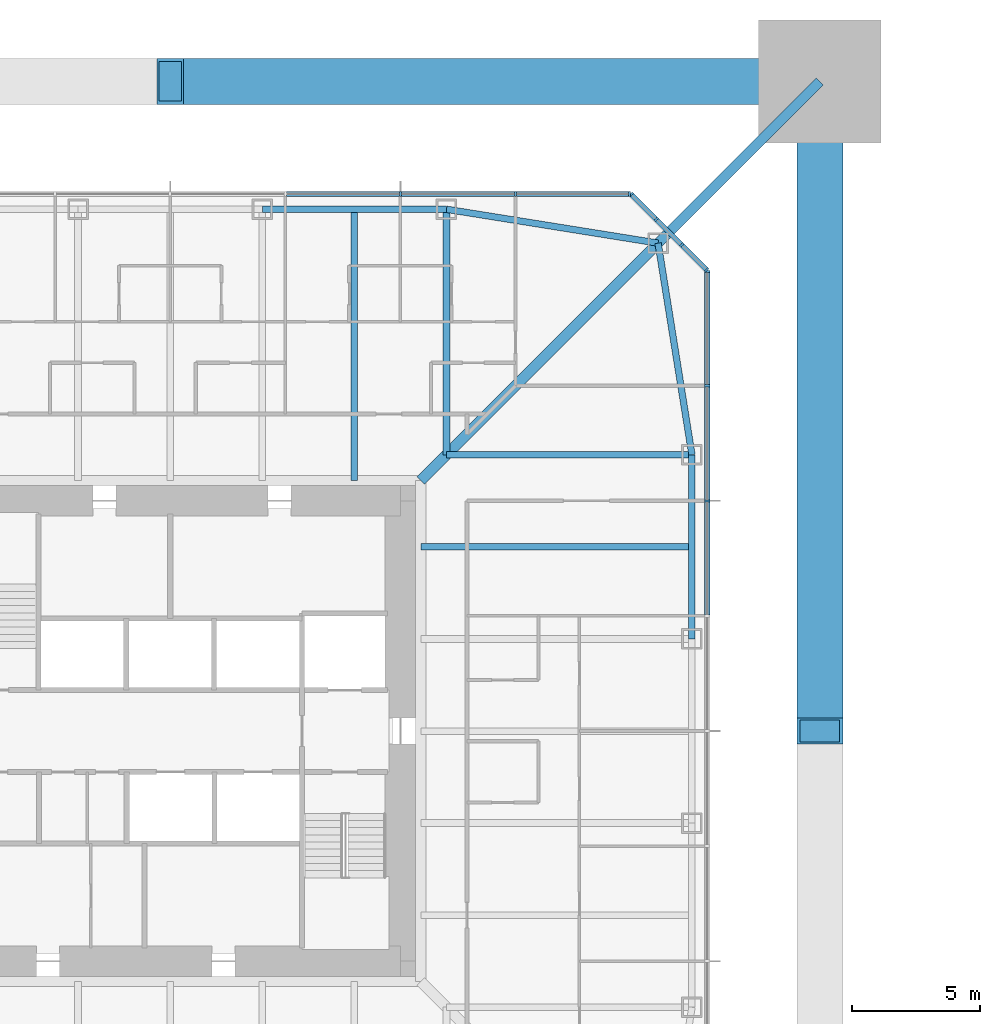
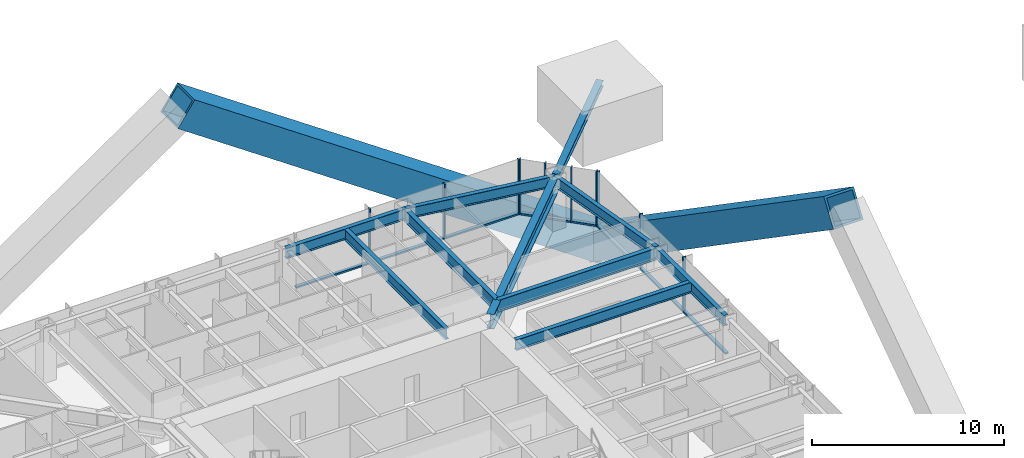
# One storey, part 8 of 26: 22 members, 9 beams, 3 elements without a shape of their own.
"""IFC4 building model written with IfcOpenShell, lengths in metres."""

import ifcopenshell
import ifcopenshell.guid

model = None  # the IFC model being written
_history = None  # IfcOwnerHistory: only IFC2X3 demands one
_inside = {}  # id of a spatial element -> (the spatial element, [elements in it])
_under = {}  # id of a project, library or spatial element -> (it, [spatial elements below it])
_declared = {}  # id of a project -> (the project, [libraries it declares])
_typed = {}  # id of a type object -> (the type object, [elements of that type])
_made_of = {}  # id of a material, layer set ... -> (it, [elements and type objects made of it])


def new_model(schema):
    """Start an empty IFC model of exactly this schema.

    Asked for "IFC4X3", IfcOpenShell would pick the latest addendum, in which some entities
    have other attributes; the version numbers below select the first issue.
    IFC2X3 requires an IfcOwnerHistory on every rooted entity: one is made here for all.
    """
    global model, _history
    if schema == "IFC4X3":
        model = ifcopenshell.file(schema_version=(4, 3, 0, 0))
    else:
        model = ifcopenshell.file(schema=schema)
    _inside.clear()
    _under.clear()
    _declared.clear()
    _typed.clear()
    _made_of.clear()
    _history = None
    if model.schema == "IFC2X3":
        org = make("IfcOrganization", Name="unknown")
        user = make(
            "IfcPersonAndOrganization",
            ThePerson=make("IfcPerson", FamilyName="unknown"),
            TheOrganization=org,
        )
        app = make(
            "IfcApplication",
            ApplicationDeveloper=org,
            Version="unknown",
            ApplicationFullName="unknown",
            ApplicationIdentifier="unknown",
        )
        _history = make(
            "IfcOwnerHistory",
            OwningUser=user,
            OwningApplication=app,
            ChangeAction="ADDED",
            CreationDate=0,
        )
    return model


def make(cls, **values):
    """One entity of the class cls with the attributes given. An attribute that is None is left unset."""
    return model.create_entity(
        cls, **{name: value for name, value in values.items() if value is not None}
    )


def rooted(cls, **values):
    """An entity with a GlobalId (a new one), such as an element, a storey or a relation."""
    return make(cls, GlobalId=ifcopenshell.guid.new(), OwnerHistory=_history, **values)


def si_unit(unit_type, name, prefix=None):
    """IfcSIUnit, for example si_unit("LENGTHUNIT", "METRE", prefix="MILLI")."""
    return make("IfcSIUnit", UnitType=unit_type, Prefix=prefix, Name=name)


def assignment(units):
    """IfcUnitAssignment: the units of a project."""
    return None if units is None else make("IfcUnitAssignment", Units=units)


def point(xyz):
    """IfcCartesianPoint."""
    return None if xyz is None else make("IfcCartesianPoint", Coordinates=xyz)


def direction(xyz):
    """IfcDirection."""
    return None if xyz is None else make("IfcDirection", DirectionRatios=xyz)


def frame(location, z_axis=None, x_axis=None):
    """IfcAxis2Placement3D, a coordinate frame: its origin and axes. An axis left out is left unset."""
    return make(
        "IfcAxis2Placement3D",
        Location=point(location),
        Axis=direction(z_axis),
        RefDirection=direction(x_axis),
    )


def frame_2d(location, x_axis=None):
    """IfcAxis2Placement2D, a coordinate frame in the plane: its origin and x axis."""
    return make(
        "IfcAxis2Placement2D", Location=point(location), RefDirection=direction(x_axis)
    )


def origin():
    """The frame at (0, 0, 0) with its axes left unset."""
    return frame((0.0, 0.0, 0.0))


def origin_2d():
    """The frame at (0, 0) in the plane with its x axis left unset."""
    return frame_2d((0.0, 0.0))


def place(relative_to, where):
    """IfcLocalPlacement: puts the frame where relative to a parent placement (None: the world)."""
    return make(
        "IfcLocalPlacement", PlacementRelTo=relative_to, RelativePlacement=where
    )


def context(
    kind, dimensions, precision=None, world=None, true_north=None, identifier=None
):
    """IfcGeometricRepresentationContext, for example the 3D "Model" context."""
    return make(
        "IfcGeometricRepresentationContext",
        ContextIdentifier=identifier,
        ContextType=kind,
        CoordinateSpaceDimension=dimensions,
        Precision=precision,
        WorldCoordinateSystem=world,
        TrueNorth=true_north,
    )


def subcontext(parent, identifier, kind, view, scale=None):
    """IfcGeometricRepresentationSubContext, for example "Body" below "Model"."""
    return make(
        "IfcGeometricRepresentationSubContext",
        ContextIdentifier=identifier,
        ContextType=kind,
        ParentContext=parent,
        TargetScale=scale,
        TargetView=view,
    )


def project(units=None, contexts=None):
    """IfcProject with its units and contexts."""
    return rooted(
        "IfcProject",
        Name="project",
        RepresentationContexts=contexts,
        UnitsInContext=assignment(units),
    )


def spatial(cls, under=None, at=None, **own):
    """A site, building, storey or space (cls), placed at a placement, below another one or the project."""
    s = rooted(cls, ObjectPlacement=at, **own)
    if under is not None:
        _under.setdefault(under.id(), (under, []))[1].append(s)
    return s


def profile(cls, at=None, kind="AREA", **sizes):
    """A parametric profile (cls). Its sizes go by their IFC names, for example OverallWidth=200.0."""
    return make(cls, ProfileType=kind, Position=at, **sizes)


def rectangle(**sizes):
    """IfcRectangleProfileDef."""
    return profile("IfcRectangleProfileDef", **sizes)


def hollow_rectangle(**sizes):
    """IfcRectangleHollowProfileDef."""
    return profile("IfcRectangleHollowProfileDef", **sizes)


def i_section(**sizes):
    """IfcIShapeProfileDef."""
    return profile("IfcIShapeProfileDef", **sizes)


def extrude(swept, where, along, depth):
    """IfcExtrudedAreaSolid: the profile swept, set in the frame where, extruded along a direction by depth."""
    return make(
        "IfcExtrudedAreaSolid",
        SweptArea=swept,
        Position=where,
        ExtrudedDirection=direction(along),
        Depth=depth,
    )


def shape(context_of_items, identifier, shape_type, items):
    """IfcShapeRepresentation: the items that make up one representation, for example the "Body"."""
    return make(
        "IfcShapeRepresentation",
        ContextOfItems=context_of_items,
        RepresentationIdentifier=identifier,
        RepresentationType=shape_type,
        Items=items,
    )


def material(Name=None, Category=None):
    """IfcMaterial."""
    return make("IfcMaterial", Name=Name, Category=Category)


def material_profile(
    of_material, cross_section, Name=None, Category=None, Priority=None
):
    """IfcMaterialProfile: a cross section and its material."""
    return make(
        "IfcMaterialProfile",
        Name=Name,
        Material=of_material,
        Profile=cross_section,
        Priority=Priority,
        Category=Category,
    )


def profile_set(profiles, Name=None, composite=None):
    """IfcMaterialProfileSet."""
    return make(
        "IfcMaterialProfileSet",
        Name=Name,
        MaterialProfiles=profiles,
        CompositeProfile=composite,
    )


def made_of(thing, what):
    """Note that an element or type object is made of a material, layer set ...; save() writes the relation."""
    if what is not None:
        _made_of.setdefault(what.id(), (what, []))[1].append(thing)
    return thing


def type_object(cls, material=None, **own):
    """A type object (cls), such as IfcWallType, which elements share."""
    return made_of(rooted(cls, **own), material)


def element(
    cls,
    number,
    at=None,
    inside=None,
    cuts=None,
    type_object=None,
    material=None,
    context=None,
    identifier="Body",
    shape_type=None,
    held_by="IfcProductDefinitionShape",
    body=None,
    shapes=None,
    **own,
):
    """One element of the class cls, such as IfcWall. Its Tag is "e" and its number.

    at: its placement. inside: the storey or other place that contains it. cuts: it is an
    opening in that element (IfcRelVoidsElement). A single representation is given by context,
    identifier, shape_type and body (its items); several are given by shapes. held_by: the class
    of the entity that holds the representations. save() writes the other relations.
    """
    e = rooted(cls, Tag="e%d" % number, ObjectPlacement=at, **own)
    if body is not None:
        shapes = [shape(context, identifier, shape_type, body)]
    if shapes is not None:
        e.Representation = make(held_by, Representations=shapes)
    if inside is not None:
        _inside.setdefault(inside.id(), (inside, []))[1].append(e)
    if cuts is not None:
        rooted(
            "IfcRelVoidsElement", RelatingBuildingElement=cuts, RelatedOpeningElement=e
        )
    if type_object is not None:
        _typed.setdefault(type_object.id(), (type_object, []))[1].append(e)
    return made_of(e, material)


def aggregate(whole, parts):
    """IfcRelAggregates: a whole, such as a stair, and the parts it consists of."""
    return rooted("IfcRelAggregates", RelatingObject=whole, RelatedObjects=parts)


def save(model, path):
    """Write the relations noted so far, then the file.

    IfcRelAggregates (storeys below a building ...), IfcRelContainedInSpatialStructure (elements
    in a storey), IfcRelDefinesByType, IfcRelAssociatesMaterial and IfcRelDeclares: one each for
    every whole, place, type object, material and project.
    """
    for whole, parts in _under.values():
        aggregate(whole, parts)
    for where, things in _inside.values():
        rooted(
            "IfcRelContainedInSpatialStructure",
            RelatedElements=things,
            RelatingStructure=where,
        )
    for kind, things in _typed.values():
        rooted("IfcRelDefinesByType", RelatedObjects=things, RelatingType=kind)
    for what, things in _made_of.values():
        rooted("IfcRelAssociatesMaterial", RelatedObjects=things, RelatingMaterial=what)
    for by, libraries in _declared.values():
        rooted("IfcRelDeclares", RelatingContext=by, RelatedDefinitions=libraries)
    model.write(path)


model = new_model("IFC4")

# Units and contexts
model_context = context("Model", 3, precision=1e-05, world=origin(), true_north=direction((0.0, 1.0)))
body_context = subcontext(model_context, "Body", "Model", "MODEL_VIEW")
ifc_project = project(units=[si_unit("LENGTHUNIT", "METRE"), si_unit("AREAUNIT", "SQUARE_METRE"), si_unit("VOLUMEUNIT", "CUBIC_METRE"), si_unit("PLANEANGLEUNIT", "RADIAN"), si_unit("MASSUNIT", "GRAM", prefix="KILO")], contexts=[model_context])

# Site, building, storey
site_placement = place(None, origin())
site = spatial("IfcSite", under=ifc_project, at=site_placement, CompositionType="ELEMENT")
building_placement = place(site_placement, origin())
building = spatial("IfcBuilding", under=site, at=building_placement, Name="Iwan Alto Co-Living Towers", CompositionType="ELEMENT")
storey_placement = place(building_placement, frame((0.0, 0.0, 115.5)))
storey = spatial("IfcBuildingStorey", under=building, at=storey_placement, Name="L31", CompositionType="ELEMENT", Elevation=115.5)

# Curtain wall, members
ifc_material_1 = material(Name="Bronze aluminium unitised frame", Category="aluminium")
curtain_wall_type_1 = type_object("IfcCurtainWallType", Name="CURTAIN WALL CW-A", PredefinedType="NOTDEFINED", material=ifc_material_1)
curtain_wall_1_placement = place(storey_placement, origin())
curtain_wall_1 = element("IfcCurtainWall", 1, at=curtain_wall_1_placement, inside=storey, type_object=curtain_wall_type_1, Name="T1 curtain wall E L31", PredefinedType="NOTDEFINED")
ifc_material_2 = material(Name="Aluminium 6063-T6 bronze anodised", Category="aluminium")
ifc_material_profile_1 = material_profile(ifc_material_2, rectangle(XDim=0.199951171875, YDim=0.080078125, at=origin_2d()), Name="AL 80X200")
ifc_profile_set_1 = profile_set([ifc_material_profile_1], Name="Aluminium 6063-T6 bronze anodised")
member_type_1 = type_object("IfcMemberType", Name="CW-A MULLION 80X200", PredefinedType="MULLION", material=ifc_profile_set_1)
member_1_placement = place(storey_placement, frame((21.0, 9.0, 0.0), z_axis=(0.0, 0.0, 1.0), x_axis=(-1.0, 0.0, 0.0)))
member_1 = element("IfcMember", 2, at=member_1_placement, type_object=member_type_1, Name="CW-A mullion 7", PredefinedType="MULLION", context=body_context, shape_type="SweptSolid", body=[
    extrude(rectangle(XDim=0.199951171875, YDim=0.080078125, at=origin_2d()), origin(), (0.0, 0.0, 1.0), 3.5),
])
member_2_placement = place(storey_placement, frame((21.0, 13.5, 0.0), z_axis=(0.0, 0.0, 1.0), x_axis=(-1.0, 0.0, 0.0)))
member_2 = element("IfcMember", 3, at=member_2_placement, type_object=member_type_1, Name="CW-A mullion 8", PredefinedType="MULLION", context=body_context, shape_type="SweptSolid", body=[
    extrude(rectangle(XDim=0.199951171875, YDim=0.080078125, at=origin_2d()), origin(), (0.0, 0.0, 1.0), 3.5),
])
member_3_placement = place(storey_placement, frame((21.0, 17.9599609375, 0.0), z_axis=(0.0, 0.0, 1.0), x_axis=(-1.0, 0.0, 0.0)))
member_3 = element("IfcMember", 4, at=member_3_placement, type_object=member_type_1, Name="CW-A mullion 9", PredefinedType="MULLION", context=body_context, shape_type="SweptSolid", body=[
    extrude(rectangle(XDim=0.199951171875, YDim=0.080078125, at=origin_2d()), origin(), (0.0, 0.0, 1.0), 3.5),
])

curtain_wall_2_placement = place(storey_placement, origin())
curtain_wall_2 = element("IfcCurtainWall", 5, at=curtain_wall_2_placement, inside=storey, type_object=curtain_wall_type_1, Name="T1 curtain wall N L31", PredefinedType="NOTDEFINED")
member_4_placement = place(storey_placement, frame((17.9599609375, 21.0, 0.0), z_axis=(0.0, 0.0, 1.0), x_axis=(0.0, -1.0, 0.0)))
member_4 = element("IfcMember", 6, at=member_4_placement, type_object=member_type_1, Name="CW-A mullion 1", PredefinedType="MULLION", context=body_context, shape_type="SweptSolid", body=[
    extrude(rectangle(XDim=0.199951171875, YDim=0.080078125, at=origin_2d()), origin(), (0.0, 0.0, 1.0), 3.5),
])
member_5_placement = place(storey_placement, frame((13.5, 21.0, 0.0), z_axis=(0.0, 0.0, 1.0), x_axis=(0.0, -1.0, 0.0)))
member_5 = element("IfcMember", 7, at=member_5_placement, type_object=member_type_1, Name="CW-A mullion 2", PredefinedType="MULLION", context=body_context, shape_type="SweptSolid", body=[
    extrude(rectangle(XDim=0.199951171875, YDim=0.080078125, at=origin_2d()), origin(), (0.0, 0.0, 1.0), 3.5),
])
member_6_placement = place(storey_placement, frame((9.0, 21.0, 0.0), z_axis=(0.0, 0.0, 1.0), x_axis=(0.0, -1.0, 0.0)))
member_6 = element("IfcMember", 8, at=member_6_placement, type_object=member_type_1, Name="CW-A mullion 3", PredefinedType="MULLION", context=body_context, shape_type="SweptSolid", body=[
    extrude(rectangle(XDim=0.199951171875, YDim=0.080078125, at=origin_2d()), origin(), (0.0, 0.0, 1.0), 3.5),
])

# Member
ifc_material_3 = material(Name="Aluminium 6063-T6 bronze anodised", Category="aluminium")
ifc_material_profile_2 = material_profile(ifc_material_3, rectangle(XDim=0.199951171875, YDim=0.10009765625, at=origin_2d()), Name="AL 200X100")
ifc_profile_set_2 = profile_set([ifc_material_profile_2], Name="Aluminium 6063-T6 bronze anodised")
member_type_2 = type_object("IfcMemberType", Name="CW-A TRANSOM 200X100", PredefinedType="USERDEFINED", material=ifc_profile_set_2)
member_7_placement = place(storey_placement, frame((21.0, 4.5400390625, 0.050048828125), z_axis=(0.0, 1.0, 0.0), x_axis=(-1.0, 0.0, 0.0)))
member_7 = element("IfcMember", 9, at=member_7_placement, type_object=member_type_2, Name="CW-A transom 6.1", ObjectType="TRANSOM", PredefinedType="USERDEFINED", context=body_context, shape_type="SweptSolid", body=[
    extrude(rectangle(XDim=0.199951171875, YDim=0.10009765625, at=origin_2d()), origin(), (0.0, 0.0, 1.0), 4.419921875),
])

member_8_placement = place(storey_placement, frame((21.0, 9.0400390625, 0.050048828125), z_axis=(0.0, 1.0, 0.0), x_axis=(-1.0, 0.0, 0.0)))
member_8 = element("IfcMember", 10, at=member_8_placement, type_object=member_type_2, Name="CW-A transom 7.1", ObjectType="TRANSOM", PredefinedType="USERDEFINED", context=body_context, shape_type="SweptSolid", body=[
    extrude(rectangle(XDim=0.199951171875, YDim=0.10009765625, at=origin_2d()), origin(), (0.0, 0.0, 1.0), 4.419921875),
])

member_9_placement = place(storey_placement, frame((21.0, 13.5400390625, 0.050048828125), z_axis=(0.0, 1.0, 0.0), x_axis=(-1.0, 0.0, 0.0)))
member_9 = element("IfcMember", 11, at=member_9_placement, type_object=member_type_2, Name="CW-A transom 8.1", ObjectType="TRANSOM", PredefinedType="USERDEFINED", context=body_context, shape_type="SweptSolid", body=[
    extrude(rectangle(XDim=0.199951171875, YDim=0.10009765625, at=origin_2d()), origin(), (0.0, 0.0, 1.0), 4.3798828125),
])

aggregate(curtain_wall_1, [member_1, member_2, member_3, member_7, member_8, member_9])

member_10_placement = place(storey_placement, frame((17.919921875, 21.0, 0.050048828125), z_axis=(-1.0, 0.0, 0.0), x_axis=(0.0, -1.0, 0.0)))
member_10 = element("IfcMember", 12, at=member_10_placement, type_object=member_type_2, Name="CW-A transom 1.1", ObjectType="TRANSOM", PredefinedType="USERDEFINED", context=body_context, shape_type="SweptSolid", body=[
    extrude(rectangle(XDim=0.199951171875, YDim=0.10009765625, at=origin_2d()), origin(), (0.0, 0.0, 1.0), 4.3798828125),
])

member_11_placement = place(storey_placement, frame((13.4599609375, 21.0, 0.050048828125), z_axis=(-1.0, 0.0, 0.0), x_axis=(0.0, -1.0, 0.0)))
member_11 = element("IfcMember", 13, at=member_11_placement, type_object=member_type_2, Name="CW-A transom 2.1", ObjectType="TRANSOM", PredefinedType="USERDEFINED", context=body_context, shape_type="SweptSolid", body=[
    extrude(rectangle(XDim=0.199951171875, YDim=0.10009765625, at=origin_2d()), origin(), (0.0, 0.0, 1.0), 4.419921875),
])

member_12_placement = place(storey_placement, frame((8.9599609375, 21.0, 0.050048828125), z_axis=(-1.0, 0.0, 0.0), x_axis=(0.0, -1.0, 0.0)))
member_12 = element("IfcMember", 14, at=member_12_placement, type_object=member_type_2, Name="CW-A transom 3.1", ObjectType="TRANSOM", PredefinedType="USERDEFINED", context=body_context, shape_type="SweptSolid", body=[
    extrude(rectangle(XDim=0.199951171875, YDim=0.10009765625, at=origin_2d()), origin(), (0.0, 0.0, 1.0), 4.419921875),
])

aggregate(curtain_wall_2, [member_4, member_5, member_6, member_10, member_11, member_12])

# Curtain wall, members
ifc_material_4 = material(Name="Bronze aluminium unitised frame", Category="aluminium")
curtain_wall_type_2 = type_object("IfcCurtainWallType", Name="CURTAIN WALL CW-B", PredefinedType="NOTDEFINED", material=ifc_material_4)
curtain_wall_3_placement = place(storey_placement, origin())
curtain_wall_3 = element("IfcCurtainWall", 15, at=curtain_wall_3_placement, inside=storey, type_object=curtain_wall_type_2, Name="T1 chamfer curtain wall NE L31", PredefinedType="NOTDEFINED")
ifc_material_5 = material(Name="Aluminium 6063-T6 bronze anodised", Category="aluminium")
ifc_material_profile_3 = material_profile(ifc_material_5, rectangle(XDim=0.199951171875, YDim=0.080078125, at=origin_2d()), Name="AL 80X200")
ifc_profile_set_3 = profile_set([ifc_material_profile_3], Name="Aluminium 6063-T6 bronze anodised")
member_type_3 = type_object("IfcMemberType", Name="CW-B MULLION 80X200", PredefinedType="MULLION", material=ifc_profile_set_3)
member_13_placement = place(storey_placement, frame((20.9716796875, 18.0283203125, 0.0), z_axis=(0.0, 0.0, 1.0), x_axis=(-0.707106781187, -0.707106781187, 0.0)))
member_13 = element("IfcMember", 16, at=member_13_placement, type_object=member_type_3, Name="CW-B mullion 1", PredefinedType="MULLION", context=body_context, shape_type="SweptSolid", body=[
    extrude(rectangle(XDim=0.199951171875, YDim=0.080078125, at=origin_2d()), origin(), (0.0, 0.0, 1.0), 3.5),
])
member_14_placement = place(storey_placement, frame((20.0, 19.0, 0.0), z_axis=(0.0, 0.0, 1.0), x_axis=(-0.707106781187, -0.707106781187, 0.0)))
member_14 = element("IfcMember", 17, at=member_14_placement, type_object=member_type_3, Name="CW-B mullion 2", PredefinedType="MULLION", context=body_context, shape_type="SweptSolid", body=[
    extrude(rectangle(XDim=0.199951171875, YDim=0.080078125, at=origin_2d()), origin(), (0.0, 0.0, 1.0), 3.5),
])
member_15_placement = place(storey_placement, frame((19.0, 20.0, 0.0), z_axis=(0.0, 0.0, 1.0), x_axis=(-0.707106781187, -0.707106781187, 0.0)))
member_15 = element("IfcMember", 18, at=member_15_placement, type_object=member_type_3, Name="CW-B mullion 3", PredefinedType="MULLION", context=body_context, shape_type="SweptSolid", body=[
    extrude(rectangle(XDim=0.199951171875, YDim=0.080078125, at=origin_2d()), origin(), (0.0, 0.0, 1.0), 3.5),
])
member_16_placement = place(storey_placement, frame((18.0283203125, 20.9716796875, 0.0), z_axis=(0.0, 0.0, 1.0), x_axis=(-0.707106781187, -0.707106781187, 0.0)))
member_16 = element("IfcMember", 19, at=member_16_placement, type_object=member_type_3, Name="CW-B mullion 4", PredefinedType="MULLION", context=body_context, shape_type="SweptSolid", body=[
    extrude(rectangle(XDim=0.199951171875, YDim=0.080078125, at=origin_2d()), origin(), (0.0, 0.0, 1.0), 3.5),
])
ifc_material_6 = material(Name="Aluminium 6063-T6 bronze anodised", Category="aluminium")
ifc_material_profile_4 = material_profile(ifc_material_6, rectangle(XDim=0.199951171875, YDim=0.10009765625, at=origin_2d()), Name="AL 200X100")
ifc_profile_set_4 = profile_set([ifc_material_profile_4], Name="Aluminium 6063-T6 bronze anodised")
member_type_4 = type_object("IfcMemberType", Name="CW-B TRANSOM 200X100", PredefinedType="USERDEFINED", material=ifc_profile_set_4)
member_17_placement = place(storey_placement, frame((20.943359375, 18.056640625, 0.050048828125), z_axis=(-0.707106781187, 0.707106781187, 0.0), x_axis=(-0.707106781187, -0.707106781187, 0.0)))
member_17 = element("IfcMember", 20, at=member_17_placement, type_object=member_type_4, Name="CW-B transom 1.1", ObjectType="TRANSOM", PredefinedType="USERDEFINED", context=body_context, shape_type="SweptSolid", body=[
    extrude(rectangle(XDim=0.199951171875, YDim=0.10009765625, at=origin_2d()), origin(), (0.0, 0.0, 1.0), 1.2939453125),
])
member_18_placement = place(storey_placement, frame((19.9716796875, 19.0283203125, 0.050048828125), z_axis=(-0.707106781187, 0.707106781187, 0.0), x_axis=(-0.707106781187, -0.707106781187, 0.0)))
member_18 = element("IfcMember", 21, at=member_18_placement, type_object=member_type_4, Name="CW-B transom 2.1", ObjectType="TRANSOM", PredefinedType="USERDEFINED", context=body_context, shape_type="SweptSolid", body=[
    extrude(rectangle(XDim=0.199951171875, YDim=0.10009765625, at=origin_2d()), origin(), (0.0, 0.0, 1.0), 1.334228515625),
])
member_19_placement = place(storey_placement, frame((18.9716796875, 20.0283203125, 0.050048828125), z_axis=(-0.707106781187, 0.707106781187, 0.0), x_axis=(-0.707106781187, -0.707106781187, 0.0)))
member_19 = element("IfcMember", 22, at=member_19_placement, type_object=member_type_4, Name="CW-B transom 3.1", ObjectType="TRANSOM", PredefinedType="USERDEFINED", context=body_context, shape_type="SweptSolid", body=[
    extrude(rectangle(XDim=0.199951171875, YDim=0.10009765625, at=origin_2d()), origin(), (0.0, 0.0, 1.0), 1.2939453125),
])
aggregate(curtain_wall_3, [member_13, member_14, member_15, member_16, member_17, member_18, member_19])

# Beams
ifc_material_7 = material(Name="Steel ASTM A992 Gr 50", Category="steel")
ifc_material_profile_5 = material_profile(ifc_material_7, i_section(OverallWidth=0.419189453125, OverallDepth=0.927001953125, WebThickness=0.019287109375, FlangeThickness=0.031982421875, at=origin_2d()), Name="W36X231")
ifc_profile_set_5 = profile_set([ifc_material_profile_5], Name="Steel ASTM A992 Gr 50")
beam_type_1 = type_object("IfcBeamType", Name="T1 CORNER GIRDER W36X231", PredefinedType="BEAM", material=ifc_profile_set_5)
beam_1_placement = place(storey_placement, frame((19.07568359375, 19.07568359375, 2.806396484375), z_axis=(-0.707106781187, -0.707106781187, 0.0), x_axis=(0.707106781187, -0.707106781187, 0.0)))
element("IfcBeam", 23, at=beam_1_placement, inside=storey, type_object=beam_type_1, Name="T1 corner girder CNE L32", PredefinedType="BEAM", context=body_context, shape_type="SweptSolid", body=[
    extrude(i_section(OverallWidth=0.419189453125, OverallDepth=0.927001953125, WebThickness=0.019287109375, FlangeThickness=0.031982421875, at=origin_2d()), origin(), (0.0, 0.0, 1.0), 13.11865234375),
])
ifc_material_8 = material(Name="Steel ASTM A992 Gr 50", Category="steel")
ifc_material_profile_6 = material_profile(ifc_material_8, i_section(OverallWidth=0.25390625, OverallDepth=0.683349609375, WebThickness=0.012451171875, FlangeThickness=0.018798828125, at=origin_2d()), Name="W27X94")
ifc_profile_set_6 = profile_set([ifc_material_profile_6], Name="Steel ASTM A992 Gr 50")
beam_type_2 = type_object("IfcBeamType", Name="T1 EDGE BEAM W27X94", PredefinedType="BEAM", material=ifc_profile_set_6)
beam_2_placement = place(storey_placement, frame((20.39990234375, 3.60009765625, 2.928466796875), z_axis=(0.0, 1.0, 0.0), x_axis=(-1.0, 0.0, 0.0)))
element("IfcBeam", 24, at=beam_2_placement, inside=storey, type_object=beam_type_2, Name="T1 edge beam E3 L32", PredefinedType="BEAM", context=body_context, shape_type="SweptSolid", body=[
    extrude(i_section(OverallWidth=0.25390625, OverallDepth=0.683349609375, WebThickness=0.012451171875, FlangeThickness=0.018798828125, at=origin_2d()), origin(), (0.0, 0.0, 1.0), 7.199951171875),
])
for number, where, z_axis, x_axis, name in (
    (25, (20.39990234375, 10.800048828125, 2.928466796875), (-0.158004134737, 0.987438450439, 0.0), (-0.987438450439, -0.158004134737, 0.0), "T1 edge beam E4 L32"),
    (26, (19.07568359375, 19.07568359375, 2.928466796875), (-0.987438450439, 0.158004134737, 0.0), (-0.158004134737, -0.987438450439, 0.0), "T1 edge beam CNE L32"),
):
    element("IfcBeam", number, at=place(storey_placement, frame(where, z_axis=z_axis, x_axis=x_axis)), inside=storey, type_object=beam_type_2, Name=name, PredefinedType="BEAM", context=body_context, shape_type="SweptSolid", body=[
        extrude(i_section(OverallWidth=0.25390625, OverallDepth=0.683349609375, WebThickness=0.012451171875, FlangeThickness=0.018798828125, at=origin_2d()), origin(), (0.0, 0.0, 1.0), 8.380859375),
    ])
beam_3_placement = place(storey_placement, frame((10.800048828125, 20.39990234375, 2.928466796875), z_axis=(-1.0, 0.0, 0.0), x_axis=(0.0, -1.0, 0.0)))
element("IfcBeam", 27, at=beam_3_placement, inside=storey, type_object=beam_type_2, Name="T1 edge beam N1 L32", PredefinedType="BEAM", context=body_context, shape_type="SweptSolid", body=[
    extrude(i_section(OverallWidth=0.25390625, OverallDepth=0.683349609375, WebThickness=0.012451171875, FlangeThickness=0.018798828125, at=origin_2d()), origin(), (0.0, 0.0, 1.0), 7.199951171875),
])

# Members
ifc_material_9 = material(Name="Steel ASTM A572 Gr 42", Category="steel")
ifc_material_profile_7 = material_profile(ifc_material_9, hollow_rectangle(XDim=1.800048828125, YDim=1.800048828125, WallThickness=0.1298828125, at=origin_2d()), Name="BOX 1800X1800X130")
ifc_profile_set_7 = profile_set([ifc_material_profile_7], Name="Steel ASTM A572 Gr 42")
member_type_5 = type_object("IfcMemberType", Name="T1 MEGA BRACE BOX 1800X1800X130", PredefinedType="BRACE", material=ifc_profile_set_7)
for number, where, z_axis, x_axis, name in (
    (28, (25.39990234375, 25.39990234375, -7.0), (0.0, -0.82347292246, 0.56735557279), (1.0, 0.0, 0.0), "T1 mega brace Z2B E 2 lower"),
    (29, (25.39990234375, 25.39990234375, -7.0), (-0.82347292246, 0.0, 0.56735557279), (0.0, -1.0, 0.0), "T1 mega brace Z2B N 1 lower"),
):
    element("IfcMember", number, at=place(storey_placement, frame(where, z_axis=z_axis, x_axis=x_axis)), inside=storey, type_object=member_type_5, Name=name, PredefinedType="BRACE", context=body_context, shape_type="SweptSolid", body=[
        extrude(hollow_rectangle(XDim=1.800048828125, YDim=1.800048828125, WallThickness=0.1298828125, at=origin_2d()), origin(), (0.0, 0.0, 1.0), 30.844970703125),
    ])
ifc_material_10 = material(Name="Steel ASTM A992 Gr 50", Category="steel")
ifc_material_profile_8 = material_profile(ifc_material_10, i_section(OverallWidth=0.393798828125, OverallDepth=0.3759765625, WebThickness=0.017333984375, FlangeThickness=0.027587890625, at=origin_2d()), Name="W14X145")
ifc_profile_set_8 = profile_set([ifc_material_profile_8], Name="Steel ASTM A992 Gr 50")
member_type_6 = type_object("IfcMemberType", Name="T1 MEGA COLUMN FLOOR TIE W14X145", PredefinedType="STRUT", material=ifc_profile_set_8)
member_20_placement = place(storey_placement, frame((25.39990234375, 25.39990234375, 3.08203125), z_axis=(-0.707106781187, -0.707106781187, 0.0), x_axis=(0.707106781187, -0.707106781187, 0.0)))
element("IfcMember", 30, at=member_20_placement, inside=storey, type_object=member_type_6, Name="T1 mega column floor tie NE L32", PredefinedType="STRUT", context=body_context, shape_type="SweptSolid", body=[
    extrude(i_section(OverallWidth=0.393798828125, OverallDepth=0.3759765625, WebThickness=0.017333984375, FlangeThickness=0.027587890625, at=origin_2d()), origin(), (0.0, 0.0, 1.0), 8.94384765625),
])

# Beams
ifc_material_11 = material(Name="Steel ASTM A992 Gr 50", Category="steel")
ifc_material_profile_9 = material_profile(ifc_material_11, i_section(OverallWidth=0.2666015625, OverallDepth=0.761962890625, WebThickness=0.014404296875, FlangeThickness=0.021484375, at=origin_2d()), Name="W30X116")
ifc_profile_set_9 = profile_set([ifc_material_profile_9], Name="Steel ASTM A992 Gr 50")
beam_type_3 = type_object("IfcBeamType", Name="T1 RADIAL BEAM W30X116", PredefinedType="BEAM", material=ifc_profile_set_9)
for number, where, z_axis, x_axis, name in (
    (31, (20.39990234375, 10.800048828125, 2.888916015625), (-1.0, 0.0, 0.0), (0.0, -1.0, 0.0), "T1 radial beam E4 L32"),
    (32, (10.800048828125, 20.39990234375, 2.888916015625), (0.0, -1.0, 0.0), (1.0, 0.0, 0.0), "T1 radial beam N1 L32"),
):
    element("IfcBeam", number, at=place(storey_placement, frame(where, z_axis=z_axis, x_axis=x_axis)), inside=storey, type_object=beam_type_3, Name=name, PredefinedType="BEAM", context=body_context, shape_type="SweptSolid", body=[
        extrude(i_section(OverallWidth=0.2666015625, OverallDepth=0.761962890625, WebThickness=0.014404296875, FlangeThickness=0.021484375, at=origin_2d()), origin(), (0.0, 0.0, 1.0), 9.599853515625),
    ])
ifc_material_12 = material(Name="Steel ASTM A992 Gr 50", Category="steel")
ifc_material_profile_10 = material_profile(ifc_material_12, i_section(OverallWidth=0.25390625, OverallDepth=0.683349609375, WebThickness=0.012451171875, FlangeThickness=0.018798828125, at=origin_2d()), Name="W27X94")
ifc_profile_set_10 = profile_set([ifc_material_profile_10], Name="Steel ASTM A992 Gr 50")
beam_type_4 = type_object("IfcBeamType", Name="T1 SECONDARY BEAM W27X94", PredefinedType="JOIST", material=ifc_profile_set_10)
for number, where, z_axis, x_axis, name in (
    (33, (20.39990234375, 7.199951171875, 2.928466796875), (-1.0, 0.0, 0.0), (0.0, -1.0, 0.0), "T1 secondary beam E3 L32"),
    (34, (7.199951171875, 20.39990234375, 2.928466796875), (0.0, -1.0, 0.0), (1.0, 0.0, 0.0), "T1 secondary beam N1 L32"),
):
    element("IfcBeam", number, at=place(storey_placement, frame(where, z_axis=z_axis, x_axis=x_axis)), inside=storey, type_object=beam_type_4, Name=name, PredefinedType="JOIST", context=body_context, shape_type="SweptSolid", body=[
        extrude(i_section(OverallWidth=0.25390625, OverallDepth=0.683349609375, WebThickness=0.012451171875, FlangeThickness=0.018798828125, at=origin_2d()), origin(), (0.0, 0.0, 1.0), 10.6005859375),
    ])

save(model, "model.ifc")
